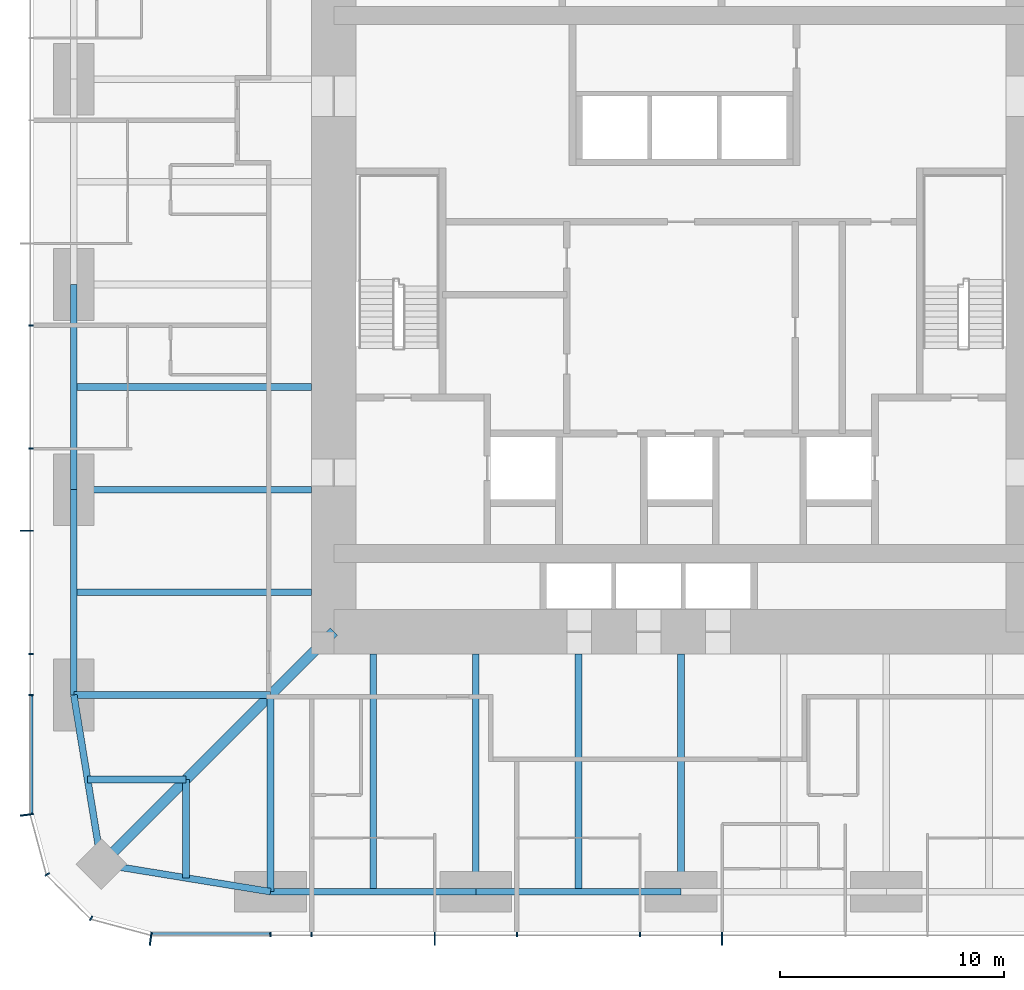
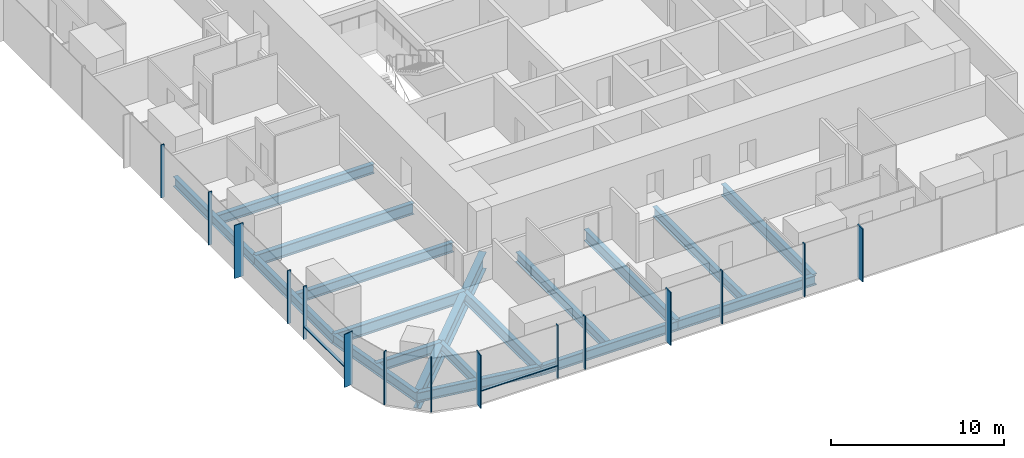
# One storey, part 2 of 13: 18 beams, 17 members, 3 elements without a shape of their own.
"""IFC4 building model written with IfcOpenShell, lengths in metres."""

import ifcopenshell
import ifcopenshell.guid

model = None  # the IFC model being written
_history = None  # IfcOwnerHistory: only IFC2X3 demands one
_inside = {}  # id of a spatial element -> (the spatial element, [elements in it])
_under = {}  # id of a project, library or spatial element -> (it, [spatial elements below it])
_declared = {}  # id of a project -> (the project, [libraries it declares])
_typed = {}  # id of a type object -> (the type object, [elements of that type])
_made_of = {}  # id of a material, layer set ... -> (it, [elements and type objects made of it])


def new_model(schema):
    """Start an empty IFC model of exactly this schema.

    Asked for "IFC4X3", IfcOpenShell would pick the latest addendum, in which some entities
    have other attributes; the version numbers below select the first issue.
    IFC2X3 requires an IfcOwnerHistory on every rooted entity: one is made here for all.
    """
    global model, _history
    if schema == "IFC4X3":
        model = ifcopenshell.file(schema_version=(4, 3, 0, 0))
    else:
        model = ifcopenshell.file(schema=schema)
    _inside.clear()
    _under.clear()
    _declared.clear()
    _typed.clear()
    _made_of.clear()
    _history = None
    if model.schema == "IFC2X3":
        org = make("IfcOrganization", Name="unknown")
        user = make(
            "IfcPersonAndOrganization",
            ThePerson=make("IfcPerson", FamilyName="unknown"),
            TheOrganization=org,
        )
        app = make(
            "IfcApplication",
            ApplicationDeveloper=org,
            Version="unknown",
            ApplicationFullName="unknown",
            ApplicationIdentifier="unknown",
        )
        _history = make(
            "IfcOwnerHistory",
            OwningUser=user,
            OwningApplication=app,
            ChangeAction="ADDED",
            CreationDate=0,
        )
    return model


def make(cls, **values):
    """One entity of the class cls with the attributes given. An attribute that is None is left unset."""
    return model.create_entity(
        cls, **{name: value for name, value in values.items() if value is not None}
    )


def rooted(cls, **values):
    """An entity with a GlobalId (a new one), such as an element, a storey or a relation."""
    return make(cls, GlobalId=ifcopenshell.guid.new(), OwnerHistory=_history, **values)


def si_unit(unit_type, name, prefix=None):
    """IfcSIUnit, for example si_unit("LENGTHUNIT", "METRE", prefix="MILLI")."""
    return make("IfcSIUnit", UnitType=unit_type, Prefix=prefix, Name=name)


def assignment(units):
    """IfcUnitAssignment: the units of a project."""
    return None if units is None else make("IfcUnitAssignment", Units=units)


def point(xyz):
    """IfcCartesianPoint."""
    return None if xyz is None else make("IfcCartesianPoint", Coordinates=xyz)


def direction(xyz):
    """IfcDirection."""
    return None if xyz is None else make("IfcDirection", DirectionRatios=xyz)


def frame(location, z_axis=None, x_axis=None):
    """IfcAxis2Placement3D, a coordinate frame: its origin and axes. An axis left out is left unset."""
    return make(
        "IfcAxis2Placement3D",
        Location=point(location),
        Axis=direction(z_axis),
        RefDirection=direction(x_axis),
    )


def frame_2d(location, x_axis=None):
    """IfcAxis2Placement2D, a coordinate frame in the plane: its origin and x axis."""
    return make(
        "IfcAxis2Placement2D", Location=point(location), RefDirection=direction(x_axis)
    )


def origin():
    """The frame at (0, 0, 0) with its axes left unset."""
    return frame((0.0, 0.0, 0.0))


def origin_2d():
    """The frame at (0, 0) in the plane with its x axis left unset."""
    return frame_2d((0.0, 0.0))


def place(relative_to, where):
    """IfcLocalPlacement: puts the frame where relative to a parent placement (None: the world)."""
    return make(
        "IfcLocalPlacement", PlacementRelTo=relative_to, RelativePlacement=where
    )


def context(
    kind, dimensions, precision=None, world=None, true_north=None, identifier=None
):
    """IfcGeometricRepresentationContext, for example the 3D "Model" context."""
    return make(
        "IfcGeometricRepresentationContext",
        ContextIdentifier=identifier,
        ContextType=kind,
        CoordinateSpaceDimension=dimensions,
        Precision=precision,
        WorldCoordinateSystem=world,
        TrueNorth=true_north,
    )


def subcontext(parent, identifier, kind, view, scale=None):
    """IfcGeometricRepresentationSubContext, for example "Body" below "Model"."""
    return make(
        "IfcGeometricRepresentationSubContext",
        ContextIdentifier=identifier,
        ContextType=kind,
        ParentContext=parent,
        TargetScale=scale,
        TargetView=view,
    )


def project(units=None, contexts=None):
    """IfcProject with its units and contexts."""
    return rooted(
        "IfcProject",
        Name="project",
        RepresentationContexts=contexts,
        UnitsInContext=assignment(units),
    )


def spatial(cls, under=None, at=None, **own):
    """A site, building, storey or space (cls), placed at a placement, below another one or the project."""
    s = rooted(cls, ObjectPlacement=at, **own)
    if under is not None:
        _under.setdefault(under.id(), (under, []))[1].append(s)
    return s


def profile(cls, at=None, kind="AREA", **sizes):
    """A parametric profile (cls). Its sizes go by their IFC names, for example OverallWidth=200.0."""
    return make(cls, ProfileType=kind, Position=at, **sizes)


def rectangle(**sizes):
    """IfcRectangleProfileDef."""
    return profile("IfcRectangleProfileDef", **sizes)


def i_section(**sizes):
    """IfcIShapeProfileDef."""
    return profile("IfcIShapeProfileDef", **sizes)


def extrude(swept, where, along, depth):
    """IfcExtrudedAreaSolid: the profile swept, set in the frame where, extruded along a direction by depth."""
    return make(
        "IfcExtrudedAreaSolid",
        SweptArea=swept,
        Position=where,
        ExtrudedDirection=direction(along),
        Depth=depth,
    )


def shape(context_of_items, identifier, shape_type, items):
    """IfcShapeRepresentation: the items that make up one representation, for example the "Body"."""
    return make(
        "IfcShapeRepresentation",
        ContextOfItems=context_of_items,
        RepresentationIdentifier=identifier,
        RepresentationType=shape_type,
        Items=items,
    )


def material(Name=None, Category=None):
    """IfcMaterial."""
    return make("IfcMaterial", Name=Name, Category=Category)


def material_profile(
    of_material, cross_section, Name=None, Category=None, Priority=None
):
    """IfcMaterialProfile: a cross section and its material."""
    return make(
        "IfcMaterialProfile",
        Name=Name,
        Material=of_material,
        Profile=cross_section,
        Priority=Priority,
        Category=Category,
    )


def profile_set(profiles, Name=None, composite=None):
    """IfcMaterialProfileSet."""
    return make(
        "IfcMaterialProfileSet",
        Name=Name,
        MaterialProfiles=profiles,
        CompositeProfile=composite,
    )


def made_of(thing, what):
    """Note that an element or type object is made of a material, layer set ...; save() writes the relation."""
    if what is not None:
        _made_of.setdefault(what.id(), (what, []))[1].append(thing)
    return thing


def type_object(cls, material=None, **own):
    """A type object (cls), such as IfcWallType, which elements share."""
    return made_of(rooted(cls, **own), material)


def element(
    cls,
    number,
    at=None,
    inside=None,
    cuts=None,
    type_object=None,
    material=None,
    context=None,
    identifier="Body",
    shape_type=None,
    held_by="IfcProductDefinitionShape",
    body=None,
    shapes=None,
    **own,
):
    """One element of the class cls, such as IfcWall. Its Tag is "e" and its number.

    at: its placement. inside: the storey or other place that contains it. cuts: it is an
    opening in that element (IfcRelVoidsElement). A single representation is given by context,
    identifier, shape_type and body (its items); several are given by shapes. held_by: the class
    of the entity that holds the representations. save() writes the other relations.
    """
    e = rooted(cls, Tag="e%d" % number, ObjectPlacement=at, **own)
    if body is not None:
        shapes = [shape(context, identifier, shape_type, body)]
    if shapes is not None:
        e.Representation = make(held_by, Representations=shapes)
    if inside is not None:
        _inside.setdefault(inside.id(), (inside, []))[1].append(e)
    if cuts is not None:
        rooted(
            "IfcRelVoidsElement", RelatingBuildingElement=cuts, RelatedOpeningElement=e
        )
    if type_object is not None:
        _typed.setdefault(type_object.id(), (type_object, []))[1].append(e)
    return made_of(e, material)


def aggregate(whole, parts):
    """IfcRelAggregates: a whole, such as a stair, and the parts it consists of."""
    return rooted("IfcRelAggregates", RelatingObject=whole, RelatedObjects=parts)


def save(model, path):
    """Write the relations noted so far, then the file.

    IfcRelAggregates (storeys below a building ...), IfcRelContainedInSpatialStructure (elements
    in a storey), IfcRelDefinesByType, IfcRelAssociatesMaterial and IfcRelDeclares: one each for
    every whole, place, type object, material and project.
    """
    for whole, parts in _under.values():
        aggregate(whole, parts)
    for where, things in _inside.values():
        rooted(
            "IfcRelContainedInSpatialStructure",
            RelatedElements=things,
            RelatingStructure=where,
        )
    for kind, things in _typed.values():
        rooted("IfcRelDefinesByType", RelatedObjects=things, RelatingType=kind)
    for what, things in _made_of.values():
        rooted("IfcRelAssociatesMaterial", RelatedObjects=things, RelatingMaterial=what)
    for by, libraries in _declared.values():
        rooted("IfcRelDeclares", RelatingContext=by, RelatedDefinitions=libraries)
    model.write(path)


model = new_model("IFC4")

# Units and contexts
model_context = context("Model", 3, precision=1e-05, world=origin(), true_north=direction((0.0, 1.0)))
body_context = subcontext(model_context, "Body", "Model", "MODEL_VIEW")
ifc_project = project(units=[si_unit("LENGTHUNIT", "METRE"), si_unit("AREAUNIT", "SQUARE_METRE"), si_unit("VOLUMEUNIT", "CUBIC_METRE"), si_unit("PLANEANGLEUNIT", "RADIAN"), si_unit("MASSUNIT", "GRAM", prefix="KILO")], contexts=[model_context])

# Site, building, storey
site_placement = place(None, origin())
site = spatial("IfcSite", under=ifc_project, at=site_placement, CompositionType="ELEMENT")
building_placement = place(site_placement, origin())
building = spatial("IfcBuilding", under=site, at=building_placement, Name="Khuree Lantern Residences", CompositionType="ELEMENT")
storey_placement = place(building_placement, frame((0.0, 0.0, 133.5)))
storey = spatial("IfcBuildingStorey", under=building, at=storey_placement, Name="L33", CompositionType="ELEMENT", Elevation=133.5)

# Beams
ifc_material_1 = material(Name="Steel S355", Category="steel")
ifc_material_profile_1 = material_profile(ifc_material_1, i_section(OverallWidth=0.300048828125, OverallDepth=0.68994140625, WebThickness=0.014404296875, FlangeThickness=0.027099609375, FilletRadius=0.027099609375, at=origin_2d()), Name="HE 700 A")
ifc_profile_set_1 = profile_set([ifc_material_profile_1], Name="Steel S355")
beam_type_1 = type_object("IfcBeamType", Name="B-22 SECONDARY BEAM HE 700 A", PredefinedType="BEAM", material=ifc_profile_set_1)
for number, where, z_axis, x_axis, name in (
    (1, (-4.580078125, -27.10009765625, -0.594970703125), (0.0, 1.0, 0.0), (-1.0, 0.0, 0.0), "Secondary beam S4"),
    (2, (-13.739990234375, -27.10009765625, -0.594970703125), (0.0, 1.0, 0.0), (-1.0, 0.0, 0.0), "Secondary beam S5"),
):
    element("IfcBeam", number, at=place(storey_placement, frame(where, z_axis=z_axis, x_axis=x_axis)), inside=storey, type_object=beam_type_1, Name=name, PredefinedType="BEAM", context=body_context, shape_type="SweptSolid", body=[
        extrude(i_section(OverallWidth=0.300048828125, OverallDepth=0.68994140625, WebThickness=0.014404296875, FlangeThickness=0.027099609375, FilletRadius=0.027099609375, at=origin_2d()), origin(), (0.0, 0.0, 1.0), 10.60009765625),
    ])
for number, where, z_axis, x_axis, name in (
    (3, (-22.094970703125, -26.48486328125, -0.594970703125), (0.0, 1.0, 0.0), (-1.0, 0.0, 0.0), "Secondary beam S6"),
    (4, (-26.48486328125, -22.094970703125, -0.594970703125), (1.0, 0.0, 0.0), (0.0, 1.0, 0.0), "Secondary beam W1"),
):
    element("IfcBeam", number, at=place(storey_placement, frame(where, z_axis=z_axis, x_axis=x_axis)), inside=storey, type_object=beam_type_1, Name=name, PredefinedType="BEAM", context=body_context, shape_type="SweptSolid", body=[
        extrude(i_section(OverallWidth=0.300048828125, OverallDepth=0.68994140625, WebThickness=0.014404296875, FlangeThickness=0.027099609375, FilletRadius=0.027099609375, at=origin_2d()), origin(), (0.0, 0.0, 1.0), 4.389892578125),
    ])
for number, where, z_axis, x_axis, name in (
    (5, (-27.10009765625, -13.739990234375, -0.594970703125), (1.0, 0.0, 0.0), (0.0, 1.0, 0.0), "Secondary beam W2"),
    (6, (-27.10009765625, -4.580078125, -0.594970703125), (1.0, 0.0, 0.0), (0.0, 1.0, 0.0), "Secondary beam W3"),
):
    element("IfcBeam", number, at=place(storey_placement, frame(where, z_axis=z_axis, x_axis=x_axis)), inside=storey, type_object=beam_type_1, Name=name, PredefinedType="BEAM", context=body_context, shape_type="SweptSolid", body=[
        extrude(i_section(OverallWidth=0.300048828125, OverallDepth=0.68994140625, WebThickness=0.014404296875, FlangeThickness=0.027099609375, FilletRadius=0.027099609375, at=origin_2d()), origin(), (0.0, 0.0, 1.0), 10.60009765625),
    ])
ifc_material_profile_2 = material_profile(ifc_material_1, i_section(OverallWidth=0.300048828125, OverallDepth=0.68994140625, WebThickness=0.014404296875, FlangeThickness=0.027099609375, FilletRadius=0.027099609375, at=origin_2d()), Name="HE 700 A")
ifc_profile_set_2 = profile_set([ifc_material_profile_2], Name="Steel S355")
beam_type_2 = type_object("IfcBeamType", Name="E-22 SPANDREL BEAM HE 700 A", PredefinedType="SPANDREL", material=ifc_profile_set_2)
beam_1_placement = place(storey_placement, frame((0.0, -27.10009765625, -0.594970703125), z_axis=(-1.0, 0.0, 0.0), x_axis=(0.0, -1.0, 0.0)))
element("IfcBeam", 7, at=beam_1_placement, inside=storey, type_object=beam_type_2, Name="Spandrel beam S4", PredefinedType="SPANDREL", context=body_context, shape_type="SweptSolid", body=[
    extrude(i_section(OverallWidth=0.300048828125, OverallDepth=0.68994140625, WebThickness=0.014404296875, FlangeThickness=0.027099609375, FilletRadius=0.027099609375, at=origin_2d()), origin(), (0.0, 0.0, 1.0), 9.159912109375),
])
beam_2_placement = place(storey_placement, frame((-9.159912109375, -27.10009765625, -0.594970703125), z_axis=(-1.0, 0.0, 0.0), x_axis=(0.0, -1.0, 0.0)))
element("IfcBeam", 8, at=beam_2_placement, inside=storey, type_object=beam_type_2, Name="Spandrel beam S5", PredefinedType="SPANDREL", context=body_context, shape_type="SweptSolid", body=[
    extrude(i_section(OverallWidth=0.300048828125, OverallDepth=0.68994140625, WebThickness=0.014404296875, FlangeThickness=0.027099609375, FilletRadius=0.027099609375, at=origin_2d()), origin(), (0.0, 0.0, 1.0), 9.16015625),
])
for number, where, z_axis, x_axis, name in (
    (9, (-18.320068359375, -27.10009765625, -0.594970703125), (-0.986982656839, 0.160826723833, 0.0), (-0.160826723833, -0.986982656839, 0.0), "Spandrel beam S6"),
    (10, (-25.869873046875, -25.869873046875, -0.594970703125), (-0.160826723833, 0.986982656839, 0.0), (-0.986982656839, -0.160826723833, 0.0), "Spandrel beam W1"),
):
    element("IfcBeam", number, at=place(storey_placement, frame(where, z_axis=z_axis, x_axis=x_axis)), inside=storey, type_object=beam_type_2, Name=name, PredefinedType="SPANDREL", context=body_context, shape_type="SweptSolid", body=[
        extrude(i_section(OverallWidth=0.300048828125, OverallDepth=0.68994140625, WebThickness=0.014404296875, FlangeThickness=0.027099609375, FilletRadius=0.027099609375, at=origin_2d()), origin(), (0.0, 0.0, 1.0), 7.6494140625),
    ])
beam_3_placement = place(storey_placement, frame((-27.10009765625, -18.320068359375, -0.594970703125), z_axis=(0.0, 1.0, 0.0), x_axis=(-1.0, 0.0, 0.0)))
element("IfcBeam", 11, at=beam_3_placement, inside=storey, type_object=beam_type_2, Name="Spandrel beam W2", PredefinedType="SPANDREL", context=body_context, shape_type="SweptSolid", body=[
    extrude(i_section(OverallWidth=0.300048828125, OverallDepth=0.68994140625, WebThickness=0.014404296875, FlangeThickness=0.027099609375, FilletRadius=0.027099609375, at=origin_2d()), origin(), (0.0, 0.0, 1.0), 9.16015625),
])
beam_4_placement = place(storey_placement, frame((-27.10009765625, -9.159912109375, -0.594970703125), z_axis=(0.0, 1.0, 0.0), x_axis=(-1.0, 0.0, 0.0)))
element("IfcBeam", 12, at=beam_4_placement, inside=storey, type_object=beam_type_2, Name="Spandrel beam W3", PredefinedType="SPANDREL", context=body_context, shape_type="SweptSolid", body=[
    extrude(i_section(OverallWidth=0.300048828125, OverallDepth=0.68994140625, WebThickness=0.014404296875, FlangeThickness=0.027099609375, FilletRadius=0.027099609375, at=origin_2d()), origin(), (0.0, 0.0, 1.0), 9.159912109375),
])

# Curtain wall, member
ifc_material_2 = material(Name="Bronze anodised aluminium", Category="aluminium")
curtain_wall_type_1 = type_object("IfcCurtainWallType", Name="CW-T1 TOWER FACE CURTAIN WALL", PredefinedType="USERDEFINED", material=ifc_material_2)
curtain_wall_1_placement = place(storey_placement, origin())
curtain_wall_1 = element("IfcCurtainWall", 13, at=curtain_wall_1_placement, inside=storey, type_object=curtain_wall_type_1, Name="L33 WEST FACE CURTAIN WALL", ObjectType="Stick-built curtain wall", PredefinedType="USERDEFINED")
ifc_material_profile_3 = material_profile(ifc_material_2, rectangle(XDim=0.06494140625, YDim=0.60009765625, at=origin_2d()), Name="F1 65X600")
ifc_profile_set_3 = profile_set([ifc_material_profile_3], Name="Bronze anodised aluminium")
member_type_1 = type_object("IfcMemberType", Name="F1 BRONZE FIN MULLION TOWER 65X600", PredefinedType="MULLION", material=ifc_profile_set_3)
member_1_placement = place(storey_placement, frame((-29.199951171875, -10.991943359375, 0.0), z_axis=(0.0, 0.0, 1.0), x_axis=(0.0, -1.0, 0.0)))
member_1 = element("IfcMember", 14, at=member_1_placement, type_object=member_type_1, Name="L33 WEST FACE FIN MULLION 40", PredefinedType="MULLION", context=body_context, shape_type="SweptSolid", body=[
    extrude(rectangle(XDim=0.06494140625, YDim=0.60009765625, at=origin_2d()), origin(), (0.0, 0.0, 1.0), 3.75),
])

curtain_wall_type_2 = type_object("IfcCurtainWallType", Name="CW-T2 TOWER CORNER CURTAIN WALL", PredefinedType="USERDEFINED", material=ifc_material_2)
curtain_wall_2_placement = place(storey_placement, origin())
curtain_wall_2 = element("IfcCurtainWall", 15, at=curtain_wall_2_placement, inside=storey, type_object=curtain_wall_type_2, Name="L33 SOUTH-WEST CORNER CURTAIN WALL", ObjectType="Faceted corner curtain wall", PredefinedType="USERDEFINED")
member_2_placement = place(storey_placement, frame((-29.2001953125, -23.669677734375, 0.0), z_axis=(0.0, 0.0, 1.0), x_axis=(0.130526223125, -0.991444857305, 0.0)))
member_2 = element("IfcMember", 16, at=member_2_placement, type_object=member_type_1, Name="L33 SOUTH-WEST CORNER FIN MULLION 43", PredefinedType="MULLION", context=body_context, shape_type="SweptSolid", body=[
    extrude(rectangle(XDim=0.06494140625, YDim=0.60009765625, at=origin_2d()), origin(), (0.0, 0.0, 1.0), 3.75),
])

# Curtain wall, members
curtain_wall_3_placement = place(storey_placement, origin())
curtain_wall_3 = element("IfcCurtainWall", 17, at=curtain_wall_3_placement, inside=storey, type_object=curtain_wall_type_1, Name="L33 SOUTH FACE CURTAIN WALL", ObjectType="Stick-built curtain wall", PredefinedType="USERDEFINED")
member_3_placement = place(storey_placement, frame((-23.669677734375, -29.2001953125, 0.0), z_axis=(0.0, 0.0, 1.0), x_axis=(0.991444857305, -0.130526223125, 0.0)))
member_3 = element("IfcMember", 18, at=member_3_placement, type_object=member_type_1, Name="L33 SOUTH FACE FIN MULLION 46", PredefinedType="MULLION", context=body_context, shape_type="SweptSolid", body=[
    extrude(rectangle(XDim=0.06494140625, YDim=0.60009765625, at=origin_2d()), origin(), (0.0, 0.0, 1.0), 3.75),
])
member_4_placement = place(storey_placement, frame((-10.991943359375, -29.199951171875, 0.0), z_axis=(0.0, 0.0, 1.0), x_axis=(1.0, 0.0, 0.0)))
member_4 = element("IfcMember", 19, at=member_4_placement, type_object=member_type_1, Name="L33 SOUTH FACE FIN MULLION 49", PredefinedType="MULLION", context=body_context, shape_type="SweptSolid", body=[
    extrude(rectangle(XDim=0.06494140625, YDim=0.60009765625, at=origin_2d()), origin(), (0.0, 0.0, 1.0), 3.75),
])
member_5_placement = place(storey_placement, frame((1.83203125, -29.199951171875, 0.0), z_axis=(0.0, 0.0, 1.0), x_axis=(1.0, 0.0, 0.0)))
member_5 = element("IfcMember", 20, at=member_5_placement, type_object=member_type_1, Name="L33 SOUTH FACE FIN MULLION 52", PredefinedType="MULLION", context=body_context, shape_type="SweptSolid", body=[
    extrude(rectangle(XDim=0.06494140625, YDim=0.60009765625, at=origin_2d()), origin(), (0.0, 0.0, 1.0), 3.75),
])

# Beams
ifc_material_profile_4 = material_profile(ifc_material_1, i_section(OverallWidth=0.300048828125, OverallDepth=0.800048828125, WebThickness=0.017578125, FlangeThickness=0.032958984375, FilletRadius=0.030029296875, at=origin_2d()), Name="HE 800 B")
ifc_profile_set_4 = profile_set([ifc_material_profile_4], Name="Steel S355")
beam_type_3 = type_object("IfcBeamType", Name="G-22 GIRDER HE 800 B", PredefinedType="BEAM", material=ifc_profile_set_4)
for number, where, z_axis, x_axis, name in (
    (21, (0.0, -27.10009765625, -0.64990234375), (0.0, 1.0, 0.0), (-1.0, 0.0, 0.0), "Girder S3"),
    (22, (-9.159912109375, -27.10009765625, -0.64990234375), (0.0, 1.0, 0.0), (-1.0, 0.0, 0.0), "Girder S4"),
):
    element("IfcBeam", number, at=place(storey_placement, frame(where, z_axis=z_axis, x_axis=x_axis)), inside=storey, type_object=beam_type_3, Name=name, PredefinedType="BEAM", context=body_context, shape_type="SweptSolid", body=[
        extrude(i_section(OverallWidth=0.300048828125, OverallDepth=0.800048828125, WebThickness=0.017578125, FlangeThickness=0.032958984375, FilletRadius=0.030029296875, at=origin_2d()), origin(), (0.0, 0.0, 1.0), 10.60009765625),
    ])
for number, where, z_axis, x_axis, name in (
    (23, (-18.320068359375, -27.10009765625, -0.64990234375), (0.0, 1.0, 0.0), (-1.0, 0.0, 0.0), "Girder S5"),
    (24, (-27.10009765625, -18.320068359375, -0.64990234375), (1.0, 0.0, 0.0), (0.0, 1.0, 0.0), "Girder W1"),
):
    element("IfcBeam", number, at=place(storey_placement, frame(where, z_axis=z_axis, x_axis=x_axis)), inside=storey, type_object=beam_type_3, Name=name, PredefinedType="BEAM", context=body_context, shape_type="SweptSolid", body=[
        extrude(i_section(OverallWidth=0.300048828125, OverallDepth=0.800048828125, WebThickness=0.017578125, FlangeThickness=0.032958984375, FilletRadius=0.030029296875, at=origin_2d()), origin(), (0.0, 0.0, 1.0), 8.780029296875),
    ])
beam_5_placement = place(storey_placement, frame((-27.10009765625, -9.159912109375, -0.64990234375), z_axis=(1.0, 0.0, 0.0), x_axis=(0.0, 1.0, 0.0)))
element("IfcBeam", 25, at=beam_5_placement, inside=storey, type_object=beam_type_3, Name="Girder W2", PredefinedType="BEAM", context=body_context, shape_type="SweptSolid", body=[
    extrude(i_section(OverallWidth=0.300048828125, OverallDepth=0.800048828125, WebThickness=0.017578125, FlangeThickness=0.032958984375, FilletRadius=0.030029296875, at=origin_2d()), origin(), (0.0, 0.0, 1.0), 10.60009765625),
])
ifc_material_profile_5 = material_profile(ifc_material_1, i_section(OverallWidth=0.449951171875, OverallDepth=1.199951171875, WebThickness=0.02490234375, FlangeThickness=0.044921875, at=origin_2d()), Name="WELDED I 1200X450X25X45")
ifc_profile_set_5 = profile_set([ifc_material_profile_5], Name="Steel S355")
beam_type_4 = type_object("IfcBeamType", Name="GD-22 CORNER GIRDER WELDED I 1200X450X25X45", PredefinedType="BEAM", material=ifc_profile_set_5)
beam_6_placement = place(storey_placement, frame((-25.869873046875, -25.869873046875, -0.85009765625), z_axis=(0.707106781187, 0.707106781187, 0.0), x_axis=(-0.707106781187, 0.707106781187, 0.0)))
element("IfcBeam", 26, at=beam_6_placement, inside=storey, type_object=beam_type_4, Name="Corner girder SW", PredefinedType="BEAM", context=body_context, shape_type="SweptSolid", body=[
    extrude(i_section(OverallWidth=0.449951171875, OverallDepth=1.199951171875, WebThickness=0.02490234375, FlangeThickness=0.044921875, at=origin_2d()), origin(), (0.0, 0.0, 1.0), 14.665283203125),
])

# Member
ifc_material_profile_6 = material_profile(ifc_material_2, rectangle(XDim=0.06494140625, YDim=0.219970703125, at=origin_2d()), Name="M1 65X220")
ifc_profile_set_6 = profile_set([ifc_material_profile_6], Name="Bronze anodised aluminium")
member_type_2 = type_object("IfcMemberType", Name="M1 BRONZE MULLION TOWER 65X220", PredefinedType="MULLION", material=ifc_profile_set_6)
member_6_placement = place(storey_placement, frame((-29.010009765625, -1.83203125, 0.0), z_axis=(0.0, 0.0, 1.0), x_axis=(0.0, -1.0, 0.0)))
member_6 = element("IfcMember", 27, at=member_6_placement, type_object=member_type_2, Name="L33 WEST FACE MULLION 38", PredefinedType="MULLION", context=body_context, shape_type="SweptSolid", body=[
    extrude(rectangle(XDim=0.06494140625, YDim=0.219970703125, at=origin_2d()), origin(), (0.0, 0.0, 1.0), 3.75),
])

member_7_placement = place(storey_placement, frame((-29.010009765625, -7.327880859375, 0.0), z_axis=(0.0, 0.0, 1.0), x_axis=(0.0, -1.0, 0.0)))
member_7 = element("IfcMember", 28, at=member_7_placement, type_object=member_type_2, Name="L33 WEST FACE MULLION 39", PredefinedType="MULLION", context=body_context, shape_type="SweptSolid", body=[
    extrude(rectangle(XDim=0.06494140625, YDim=0.219970703125, at=origin_2d()), origin(), (0.0, 0.0, 1.0), 3.75),
])

member_8_placement = place(storey_placement, frame((-29.010009765625, -16.488037109375, 0.0), z_axis=(0.0, 0.0, 1.0), x_axis=(0.0, -1.0, 0.0)))
member_8 = element("IfcMember", 29, at=member_8_placement, type_object=member_type_2, Name="L33 WEST FACE MULLION 41", PredefinedType="MULLION", context=body_context, shape_type="SweptSolid", body=[
    extrude(rectangle(XDim=0.06494140625, YDim=0.219970703125, at=origin_2d()), origin(), (0.0, 0.0, 1.0), 3.75),
])

member_9_placement = place(storey_placement, frame((-29.010009765625, -18.320068359375, 0.0), z_axis=(0.0, 0.0, 1.0), x_axis=(0.0, -1.0, 0.0)))
member_9 = element("IfcMember", 30, at=member_9_placement, type_object=member_type_2, Name="L33 WEST FACE MULLION 42", PredefinedType="MULLION", context=body_context, shape_type="SweptSolid", body=[
    extrude(rectangle(XDim=0.06494140625, YDim=0.219970703125, at=origin_2d()), origin(), (0.0, 0.0, 1.0), 3.75),
])

member_10_placement = place(storey_placement, frame((-28.2919921875, -26.330078125, 0.0), z_axis=(0.0, 0.0, 1.0), x_axis=(0.500000026995, -0.866025388199, 0.0)))
member_10 = element("IfcMember", 31, at=member_10_placement, type_object=member_type_2, Name="L33 SOUTH-WEST CORNER MULLION 44", PredefinedType="MULLION", context=body_context, shape_type="SweptSolid", body=[
    extrude(rectangle(XDim=0.06494140625, YDim=0.219970703125, at=origin_2d()), origin(), (0.0, 0.0, 1.0), 3.75),
])

member_11_placement = place(storey_placement, frame((-26.330078125, -28.2919921875, 0.0), z_axis=(0.0, 0.0, 1.0), x_axis=(0.866025388199, -0.500000026995, 0.0)))
member_11 = element("IfcMember", 32, at=member_11_placement, type_object=member_type_2, Name="L33 SOUTH-WEST CORNER MULLION 45", PredefinedType="MULLION", context=body_context, shape_type="SweptSolid", body=[
    extrude(rectangle(XDim=0.06494140625, YDim=0.219970703125, at=origin_2d()), origin(), (0.0, 0.0, 1.0), 3.75),
])

aggregate(curtain_wall_2, [member_2, member_10, member_11])

member_12_placement = place(storey_placement, frame((-18.320068359375, -29.010009765625, 0.0), z_axis=(0.0, 0.0, 1.0), x_axis=(1.0, 0.0, 0.0)))
member_12 = element("IfcMember", 33, at=member_12_placement, type_object=member_type_2, Name="L33 SOUTH FACE MULLION 47", PredefinedType="MULLION", context=body_context, shape_type="SweptSolid", body=[
    extrude(rectangle(XDim=0.06494140625, YDim=0.219970703125, at=origin_2d()), origin(), (0.0, 0.0, 1.0), 3.75),
])

member_13_placement = place(storey_placement, frame((-16.488037109375, -29.010009765625, 0.0), z_axis=(0.0, 0.0, 1.0), x_axis=(1.0, 0.0, 0.0)))
member_13 = element("IfcMember", 34, at=member_13_placement, type_object=member_type_2, Name="L33 SOUTH FACE MULLION 48", PredefinedType="MULLION", context=body_context, shape_type="SweptSolid", body=[
    extrude(rectangle(XDim=0.06494140625, YDim=0.219970703125, at=origin_2d()), origin(), (0.0, 0.0, 1.0), 3.75),
])

member_14_placement = place(storey_placement, frame((-7.327880859375, -29.010009765625, 0.0), z_axis=(0.0, 0.0, 1.0), x_axis=(1.0, 0.0, 0.0)))
member_14 = element("IfcMember", 35, at=member_14_placement, type_object=member_type_2, Name="L33 SOUTH FACE MULLION 50", PredefinedType="MULLION", context=body_context, shape_type="SweptSolid", body=[
    extrude(rectangle(XDim=0.06494140625, YDim=0.219970703125, at=origin_2d()), origin(), (0.0, 0.0, 1.0), 3.75),
])

member_15_placement = place(storey_placement, frame((-1.83203125, -29.010009765625, 0.0), z_axis=(0.0, 0.0, 1.0), x_axis=(1.0, 0.0, 0.0)))
member_15 = element("IfcMember", 36, at=member_15_placement, type_object=member_type_2, Name="L33 SOUTH FACE MULLION 51", PredefinedType="MULLION", context=body_context, shape_type="SweptSolid", body=[
    extrude(rectangle(XDim=0.06494140625, YDim=0.219970703125, at=origin_2d()), origin(), (0.0, 0.0, 1.0), 3.75),
])

ifc_material_profile_7 = material_profile(ifc_material_2, rectangle(XDim=0.179931640625, YDim=0.06494140625, at=origin_2d()), Name="T1 180X65")
ifc_profile_set_7 = profile_set([ifc_material_profile_7], Name="Bronze anodised aluminium")
member_type_3 = type_object("IfcMemberType", Name="TRANSOM T1 TOWER 180X65", PredefinedType="USERDEFINED", material=ifc_profile_set_7)
member_16_placement = place(storey_placement, frame((-29.02001953125, -18.3525390625, 0.89990234375), z_axis=(0.0, -1.0, 0.0), x_axis=(1.0, 0.0, 0.0)))
member_16 = element("IfcMember", 37, at=member_16_placement, type_object=member_type_3, Name="L33 WEST FACE TRANSOM 42.1", ObjectType="Transom", PredefinedType="USERDEFINED", context=body_context, shape_type="SweptSolid", body=[
    extrude(rectangle(XDim=0.179931640625, YDim=0.06494140625, at=origin_2d()), origin(), (0.0, 0.0, 1.0), 5.248779296875),
])

aggregate(curtain_wall_1, [member_6, member_7, member_1, member_8, member_9, member_16])

member_17_placement = place(storey_placement, frame((-23.601318359375, -29.02001953125, 0.89990234375), z_axis=(1.0, 0.0, 0.0), x_axis=(0.0, 1.0, 0.0)))
member_17 = element("IfcMember", 38, at=member_17_placement, type_object=member_type_3, Name="L33 SOUTH FACE TRANSOM 46.1", ObjectType="Transom", PredefinedType="USERDEFINED", context=body_context, shape_type="SweptSolid", body=[
    extrude(rectangle(XDim=0.179931640625, YDim=0.06494140625, at=origin_2d()), origin(), (0.0, 0.0, 1.0), 5.248779296875),
])

aggregate(curtain_wall_3, [member_3, member_12, member_13, member_4, member_14, member_15, member_5, member_17])

save(model, "model.ifc")
